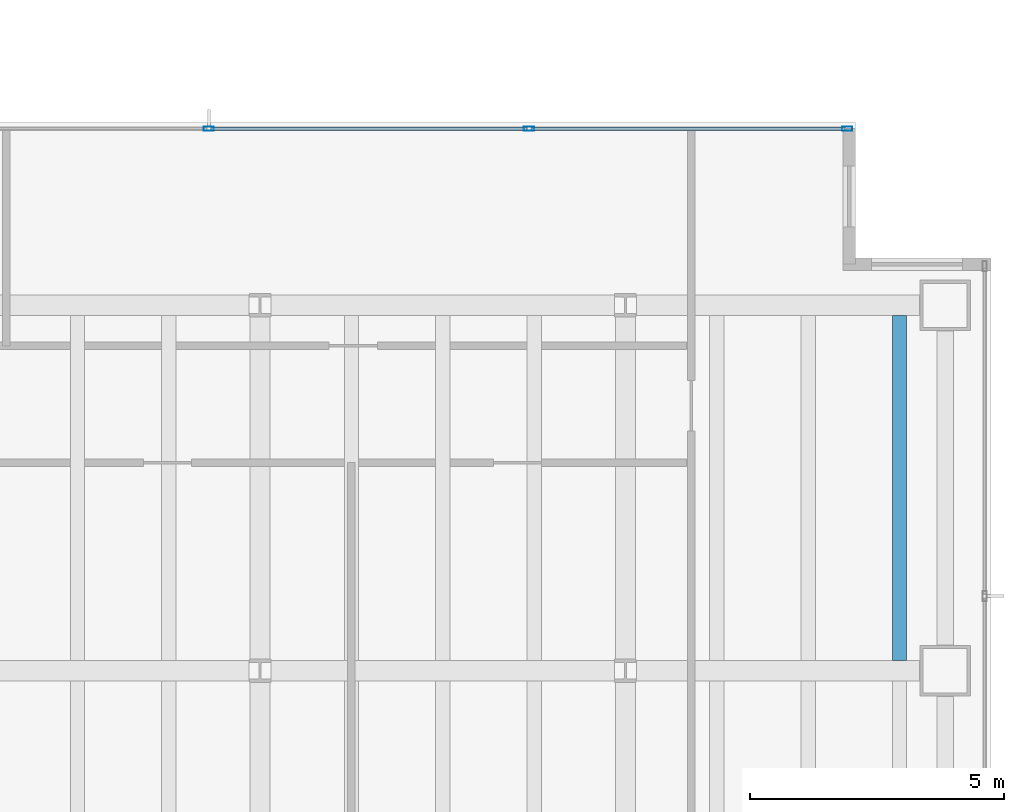
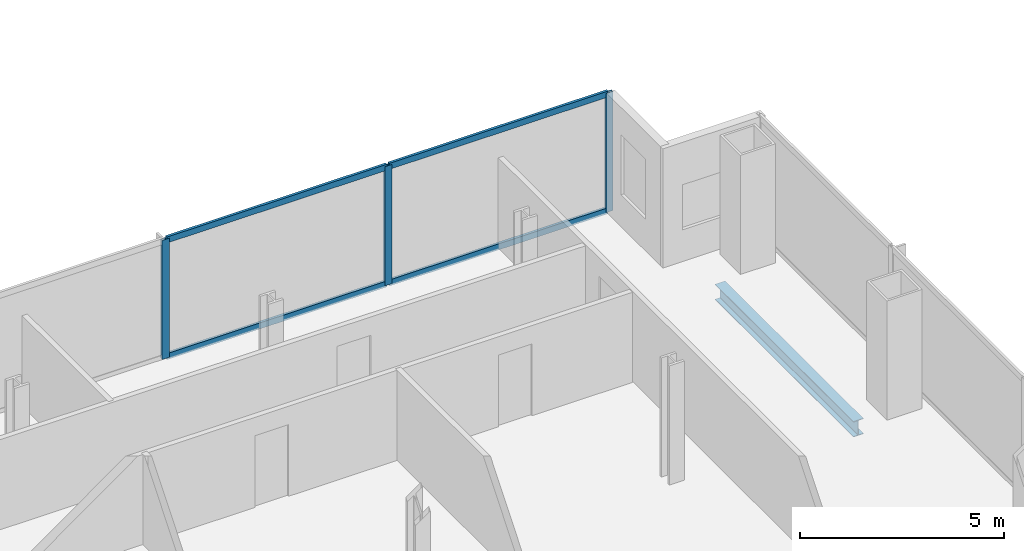
# One storey, part 12 of 25: 7 members, 1 beam, 1 element without a shape of its own.
"""IFC4 building model written with IfcOpenShell, lengths in metres."""

import ifcopenshell
import ifcopenshell.guid

model = None  # the IFC model being written
_history = None  # IfcOwnerHistory: only IFC2X3 demands one
_inside = {}  # id of a spatial element -> (the spatial element, [elements in it])
_under = {}  # id of a project, library or spatial element -> (it, [spatial elements below it])
_declared = {}  # id of a project -> (the project, [libraries it declares])
_typed = {}  # id of a type object -> (the type object, [elements of that type])
_made_of = {}  # id of a material, layer set ... -> (it, [elements and type objects made of it])


def new_model(schema):
    """Start an empty IFC model of exactly this schema.

    Asked for "IFC4X3", IfcOpenShell would pick the latest addendum, in which some entities
    have other attributes; the version numbers below select the first issue.
    IFC2X3 requires an IfcOwnerHistory on every rooted entity: one is made here for all.
    """
    global model, _history
    if schema == "IFC4X3":
        model = ifcopenshell.file(schema_version=(4, 3, 0, 0))
    else:
        model = ifcopenshell.file(schema=schema)
    _inside.clear()
    _under.clear()
    _declared.clear()
    _typed.clear()
    _made_of.clear()
    _history = None
    if model.schema == "IFC2X3":
        org = make("IfcOrganization", Name="unknown")
        user = make(
            "IfcPersonAndOrganization",
            ThePerson=make("IfcPerson", FamilyName="unknown"),
            TheOrganization=org,
        )
        app = make(
            "IfcApplication",
            ApplicationDeveloper=org,
            Version="unknown",
            ApplicationFullName="unknown",
            ApplicationIdentifier="unknown",
        )
        _history = make(
            "IfcOwnerHistory",
            OwningUser=user,
            OwningApplication=app,
            ChangeAction="ADDED",
            CreationDate=0,
        )
    return model


def make(cls, **values):
    """One entity of the class cls with the attributes given. An attribute that is None is left unset."""
    return model.create_entity(
        cls, **{name: value for name, value in values.items() if value is not None}
    )


def rooted(cls, **values):
    """An entity with a GlobalId (a new one), such as an element, a storey or a relation."""
    return make(cls, GlobalId=ifcopenshell.guid.new(), OwnerHistory=_history, **values)


def si_unit(unit_type, name, prefix=None):
    """IfcSIUnit, for example si_unit("LENGTHUNIT", "METRE", prefix="MILLI")."""
    return make("IfcSIUnit", UnitType=unit_type, Prefix=prefix, Name=name)


def assignment(units):
    """IfcUnitAssignment: the units of a project."""
    return None if units is None else make("IfcUnitAssignment", Units=units)


def point(xyz):
    """IfcCartesianPoint."""
    return None if xyz is None else make("IfcCartesianPoint", Coordinates=xyz)


def direction(xyz):
    """IfcDirection."""
    return None if xyz is None else make("IfcDirection", DirectionRatios=xyz)


def frame(location, z_axis=None, x_axis=None):
    """IfcAxis2Placement3D, a coordinate frame: its origin and axes. An axis left out is left unset."""
    return make(
        "IfcAxis2Placement3D",
        Location=point(location),
        Axis=direction(z_axis),
        RefDirection=direction(x_axis),
    )


def frame_2d(location, x_axis=None):
    """IfcAxis2Placement2D, a coordinate frame in the plane: its origin and x axis."""
    return make(
        "IfcAxis2Placement2D", Location=point(location), RefDirection=direction(x_axis)
    )


def origin():
    """The frame at (0, 0, 0) with its axes left unset."""
    return frame((0.0, 0.0, 0.0))


def origin_2d():
    """The frame at (0, 0) in the plane with its x axis left unset."""
    return frame_2d((0.0, 0.0))


def place(relative_to, where):
    """IfcLocalPlacement: puts the frame where relative to a parent placement (None: the world)."""
    return make(
        "IfcLocalPlacement", PlacementRelTo=relative_to, RelativePlacement=where
    )


def context(
    kind, dimensions, precision=None, world=None, true_north=None, identifier=None
):
    """IfcGeometricRepresentationContext, for example the 3D "Model" context."""
    return make(
        "IfcGeometricRepresentationContext",
        ContextIdentifier=identifier,
        ContextType=kind,
        CoordinateSpaceDimension=dimensions,
        Precision=precision,
        WorldCoordinateSystem=world,
        TrueNorth=true_north,
    )


def subcontext(parent, identifier, kind, view, scale=None):
    """IfcGeometricRepresentationSubContext, for example "Body" below "Model"."""
    return make(
        "IfcGeometricRepresentationSubContext",
        ContextIdentifier=identifier,
        ContextType=kind,
        ParentContext=parent,
        TargetScale=scale,
        TargetView=view,
    )


def project(units=None, contexts=None):
    """IfcProject with its units and contexts."""
    return rooted(
        "IfcProject",
        Name="project",
        RepresentationContexts=contexts,
        UnitsInContext=assignment(units),
    )


def spatial(cls, under=None, at=None, **own):
    """A site, building, storey or space (cls), placed at a placement, below another one or the project."""
    s = rooted(cls, ObjectPlacement=at, **own)
    if under is not None:
        _under.setdefault(under.id(), (under, []))[1].append(s)
    return s


def profile(cls, at=None, kind="AREA", **sizes):
    """A parametric profile (cls). Its sizes go by their IFC names, for example OverallWidth=200.0."""
    return make(cls, ProfileType=kind, Position=at, **sizes)


def hollow_rectangle(**sizes):
    """IfcRectangleHollowProfileDef."""
    return profile("IfcRectangleHollowProfileDef", **sizes)


def i_section(**sizes):
    """IfcIShapeProfileDef."""
    return profile("IfcIShapeProfileDef", **sizes)


def extrude(swept, where, along, depth):
    """IfcExtrudedAreaSolid: the profile swept, set in the frame where, extruded along a direction by depth."""
    return make(
        "IfcExtrudedAreaSolid",
        SweptArea=swept,
        Position=where,
        ExtrudedDirection=direction(along),
        Depth=depth,
    )


def shape(context_of_items, identifier, shape_type, items):
    """IfcShapeRepresentation: the items that make up one representation, for example the "Body"."""
    return make(
        "IfcShapeRepresentation",
        ContextOfItems=context_of_items,
        RepresentationIdentifier=identifier,
        RepresentationType=shape_type,
        Items=items,
    )


def material(Name=None, Category=None):
    """IfcMaterial."""
    return make("IfcMaterial", Name=Name, Category=Category)


def material_profile(
    of_material, cross_section, Name=None, Category=None, Priority=None
):
    """IfcMaterialProfile: a cross section and its material."""
    return make(
        "IfcMaterialProfile",
        Name=Name,
        Material=of_material,
        Profile=cross_section,
        Priority=Priority,
        Category=Category,
    )


def profile_set(profiles, Name=None, composite=None):
    """IfcMaterialProfileSet."""
    return make(
        "IfcMaterialProfileSet",
        Name=Name,
        MaterialProfiles=profiles,
        CompositeProfile=composite,
    )


def made_of(thing, what):
    """Note that an element or type object is made of a material, layer set ...; save() writes the relation."""
    if what is not None:
        _made_of.setdefault(what.id(), (what, []))[1].append(thing)
    return thing


def type_object(cls, material=None, **own):
    """A type object (cls), such as IfcWallType, which elements share."""
    return made_of(rooted(cls, **own), material)


def element(
    cls,
    number,
    at=None,
    inside=None,
    cuts=None,
    type_object=None,
    material=None,
    context=None,
    identifier="Body",
    shape_type=None,
    held_by="IfcProductDefinitionShape",
    body=None,
    shapes=None,
    **own,
):
    """One element of the class cls, such as IfcWall. Its Tag is "e" and its number.

    at: its placement. inside: the storey or other place that contains it. cuts: it is an
    opening in that element (IfcRelVoidsElement). A single representation is given by context,
    identifier, shape_type and body (its items); several are given by shapes. held_by: the class
    of the entity that holds the representations. save() writes the other relations.
    """
    e = rooted(cls, Tag="e%d" % number, ObjectPlacement=at, **own)
    if body is not None:
        shapes = [shape(context, identifier, shape_type, body)]
    if shapes is not None:
        e.Representation = make(held_by, Representations=shapes)
    if inside is not None:
        _inside.setdefault(inside.id(), (inside, []))[1].append(e)
    if cuts is not None:
        rooted(
            "IfcRelVoidsElement", RelatingBuildingElement=cuts, RelatedOpeningElement=e
        )
    if type_object is not None:
        _typed.setdefault(type_object.id(), (type_object, []))[1].append(e)
    return made_of(e, material)


def aggregate(whole, parts):
    """IfcRelAggregates: a whole, such as a stair, and the parts it consists of."""
    return rooted("IfcRelAggregates", RelatingObject=whole, RelatedObjects=parts)


def save(model, path):
    """Write the relations noted so far, then the file.

    IfcRelAggregates (storeys below a building ...), IfcRelContainedInSpatialStructure (elements
    in a storey), IfcRelDefinesByType, IfcRelAssociatesMaterial and IfcRelDeclares: one each for
    every whole, place, type object, material and project.
    """
    for whole, parts in _under.values():
        aggregate(whole, parts)
    for where, things in _inside.values():
        rooted(
            "IfcRelContainedInSpatialStructure",
            RelatedElements=things,
            RelatingStructure=where,
        )
    for kind, things in _typed.values():
        rooted("IfcRelDefinesByType", RelatedObjects=things, RelatingType=kind)
    for what, things in _made_of.values():
        rooted("IfcRelAssociatesMaterial", RelatedObjects=things, RelatingMaterial=what)
    for by, libraries in _declared.values():
        rooted("IfcRelDeclares", RelatingContext=by, RelatedDefinitions=libraries)
    model.write(path)


model = new_model("IFC4")

# Units and contexts
model_context = context("Model", 3, precision=1e-05, world=origin(), true_north=direction((0.0, 1.0)))
body_context = subcontext(model_context, "Body", "Model", "MODEL_VIEW")
ifc_project = project(units=[si_unit("LENGTHUNIT", "METRE"), si_unit("AREAUNIT", "SQUARE_METRE"), si_unit("VOLUMEUNIT", "CUBIC_METRE"), si_unit("PLANEANGLEUNIT", "RADIAN"), si_unit("MASSUNIT", "GRAM", prefix="KILO")], contexts=[model_context])

# Site, building, storey
site_placement = place(None, origin())
site = spatial("IfcSite", under=ifc_project, at=site_placement, CompositionType="ELEMENT")
building_placement = place(site_placement, origin())
building = spatial("IfcBuilding", under=site, at=building_placement, Name="Cobrela Telecom Tower", CompositionType="ELEMENT")
storey_placement = place(building_placement, frame((0.0, 0.0, 58.10009765625)))
storey = spatial("IfcBuildingStorey", under=building, at=storey_placement, Name="L14", CompositionType="ELEMENT", Elevation=58.10009765625)

# Beam
ifc_material_1 = material(Name="Steel ASTM A992 Grade 50", Category="steel")
ifc_material_profile_1 = material_profile(ifc_material_1, i_section(OverallWidth=0.281982421875, OverallDepth=0.467041015625, WebThickness=0.01220703125, FlangeThickness=0.01953125, FilletRadius=0.012939453125, at=origin_2d()), Name="W18X86")
ifc_profile_set_1 = profile_set([ifc_material_profile_1], Name="Steel ASTM A992 Grade 50")
beam_type = type_object("IfcBeamType", Name="BM-JOIST-02", PredefinedType="JOIST", material=ifc_profile_set_1)
beam_placement = place(storey_placement, frame((48.60009765625, 14.6044921875, -0.513671875), z_axis=(0.0, 1.0, 0.0), x_axis=(-1.0, 0.0, 0.0)))
element("IfcBeam", 1, at=beam_placement, inside=storey, type_object=beam_type, Name="L14 Secondary Composite Floor Beam J64", PredefinedType="JOIST", context=body_context, shape_type="SweptSolid", body=[
    extrude(i_section(OverallWidth=0.281982421875, OverallDepth=0.467041015625, WebThickness=0.01220703125, FlangeThickness=0.01953125, FilletRadius=0.012939453125, at=origin_2d()), origin(), (0.0, 0.0, 1.0), 6.791015625),
])

# Curtain wall, members
ifc_material_2 = material(Name="Anodized Bronze Aluminium 6063-T6", Category="aluminium")
curtain_wall_type = type_object("IfcCurtainWallType", Name="CW-SYS-DATA", PredefinedType="USERDEFINED", material=ifc_material_2)
curtain_wall_placement = place(storey_placement, origin())
curtain_wall = element("IfcCurtainWall", 2, at=curtain_wall_placement, inside=storey, type_object=curtain_wall_type, Name="L14 Unitised Bronze Curtain Wall 11", ObjectType="UNITISED CURTAIN WALL", PredefinedType="USERDEFINED")
ifc_material_profile_2 = material_profile(ifc_material_2, hollow_rectangle(XDim=0.080078125, YDim=0.199951171875, WallThickness=0.00390625, at=origin_2d()), Name="ALU 80x200x4")
ifc_profile_set_2 = profile_set([ifc_material_profile_2], Name="Anodized Bronze Aluminium 6063-T6")
member_type_1 = type_object("IfcMemberType", Name="CW-SYS-DATA-MUL", PredefinedType="MULLION", material=ifc_profile_set_2)
member_1_placement = place(storey_placement, frame((34.989990234375, 25.080078125, 0.0), z_axis=(0.0, 0.0, 1.0), x_axis=(0.0, 1.0, 0.0)))
member_1 = element("IfcMember", 3, at=member_1_placement, type_object=member_type_1, Name="CW-DATA mullion 2", PredefinedType="MULLION", context=body_context, shape_type="SweptSolid", body=[
    extrude(hollow_rectangle(XDim=0.080078125, YDim=0.199951171875, WallThickness=0.00390625, at=origin_2d()), origin(), (0.0, 0.0, 1.0), 3.56982421875),
])
member_2_placement = place(storey_placement, frame((41.300048828125, 25.080078125, 0.0), z_axis=(0.0, 0.0, 1.0), x_axis=(0.0, 1.0, 0.0)))
member_2 = element("IfcMember", 4, at=member_2_placement, type_object=member_type_1, Name="CW-DATA mullion 3", PredefinedType="MULLION", context=body_context, shape_type="SweptSolid", body=[
    extrude(hollow_rectangle(XDim=0.080078125, YDim=0.199951171875, WallThickness=0.00390625, at=origin_2d()), origin(), (0.0, 0.0, 1.0), 3.56982421875),
])
member_3_placement = place(storey_placement, frame((47.570068359375, 25.080078125, 0.0), z_axis=(0.0, 0.0, 1.0), x_axis=(0.0, 1.0, 0.0)))
member_3 = element("IfcMember", 5, at=member_3_placement, type_object=member_type_1, Name="CW-DATA mullion 4", PredefinedType="MULLION", context=body_context, shape_type="SweptSolid", body=[
    extrude(hollow_rectangle(XDim=0.080078125, YDim=0.199951171875, WallThickness=0.00390625, at=origin_2d()), origin(), (0.0, 0.0, 1.0), 3.56982421875),
])
ifc_material_profile_3 = material_profile(ifc_material_2, hollow_rectangle(XDim=0.074951171875, YDim=0.179931640625, WallThickness=0.00390625, at=origin_2d()), Name="ALU 75x180x4")
ifc_profile_set_3 = profile_set([ifc_material_profile_3], Name="Anodized Bronze Aluminium 6063-T6")
member_type_2 = type_object("IfcMemberType", Name="CW-SYS-DATA-TRN", PredefinedType="USERDEFINED", material=ifc_profile_set_3)
member_4_placement = place(storey_placement, frame((35.030029296875, 25.080078125, 0.037353515625), z_axis=(1.0, 0.0, 0.0), x_axis=(0.0, 1.0, 0.0)))
member_4 = element("IfcMember", 6, at=member_4_placement, type_object=member_type_2, Name="CW-DATA transom 2.1", ObjectType="TRANSOM", PredefinedType="USERDEFINED", context=body_context, shape_type="SweptSolid", body=[
    extrude(hollow_rectangle(XDim=0.074951171875, YDim=0.179931640625, WallThickness=0.00390625, at=origin_2d()), origin(), (0.0, 0.0, 1.0), 6.22998046875),
])
member_5_placement = place(storey_placement, frame((35.030029296875, 25.080078125, 3.532470703125), z_axis=(1.0, 0.0, 0.0), x_axis=(0.0, 1.0, 0.0)))
member_5 = element("IfcMember", 7, at=member_5_placement, type_object=member_type_2, Name="CW-DATA transom 2.2", ObjectType="TRANSOM", PredefinedType="USERDEFINED", context=body_context, shape_type="SweptSolid", body=[
    extrude(hollow_rectangle(XDim=0.074951171875, YDim=0.179931640625, WallThickness=0.00390625, at=origin_2d()), origin(), (0.0, 0.0, 1.0), 6.22998046875),
])
member_6_placement = place(storey_placement, frame((41.340087890625, 25.080078125, 0.037353515625), z_axis=(1.0, 0.0, 0.0), x_axis=(0.0, 1.0, 0.0)))
member_6 = element("IfcMember", 8, at=member_6_placement, type_object=member_type_2, Name="CW-DATA transom 3.1", ObjectType="TRANSOM", PredefinedType="USERDEFINED", context=body_context, shape_type="SweptSolid", body=[
    extrude(hollow_rectangle(XDim=0.074951171875, YDim=0.179931640625, WallThickness=0.00390625, at=origin_2d()), origin(), (0.0, 0.0, 1.0), 6.18994140625),
])
member_7_placement = place(storey_placement, frame((41.340087890625, 25.080078125, 3.532470703125), z_axis=(1.0, 0.0, 0.0), x_axis=(0.0, 1.0, 0.0)))
member_7 = element("IfcMember", 9, at=member_7_placement, type_object=member_type_2, Name="CW-DATA transom 3.2", ObjectType="TRANSOM", PredefinedType="USERDEFINED", context=body_context, shape_type="SweptSolid", body=[
    extrude(hollow_rectangle(XDim=0.074951171875, YDim=0.179931640625, WallThickness=0.00390625, at=origin_2d()), origin(), (0.0, 0.0, 1.0), 6.18994140625),
])
aggregate(curtain_wall, [member_1, member_2, member_3, member_4, member_5, member_6, member_7])

save(model, "model.ifc")
